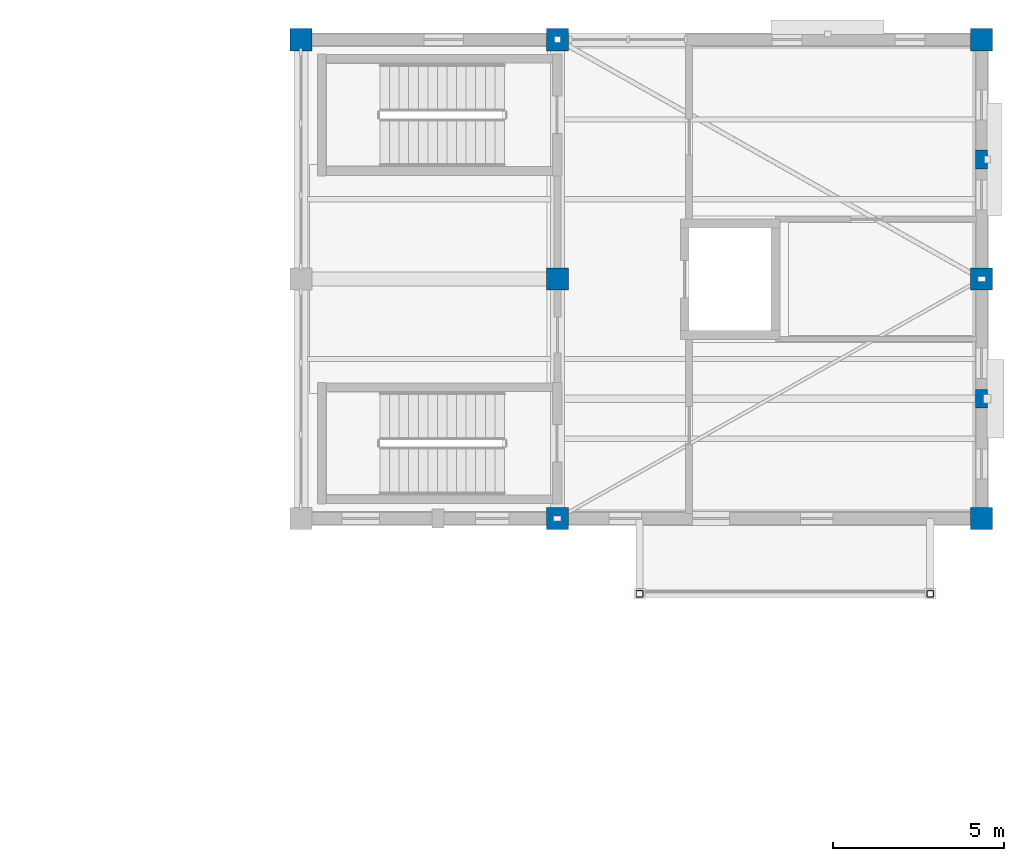
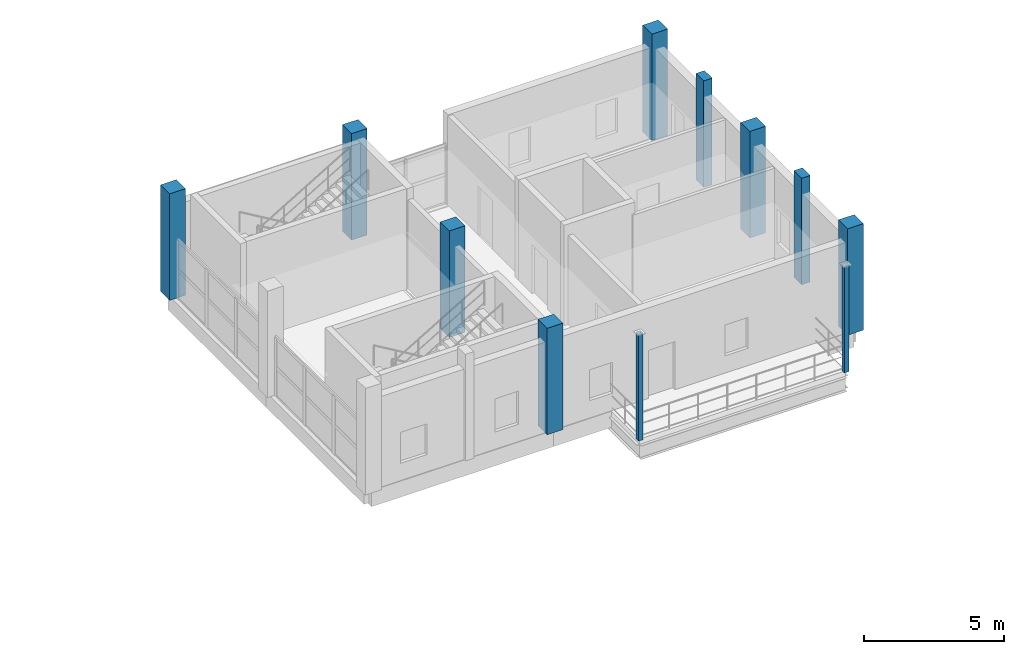
# One storey, part 2 of 40: 11 columns.
"""IFC4 building model written with IfcOpenShell, lengths in metres."""

from ifc_helpers import new_model, si_unit, direction, frame, origin, origin_2d, place, context, subcontext, project, spatial, rectangle, hollow_rectangle, extrude, material, material_profile, profile_set, type_object, element, save


model = new_model("IFC4")

# Units and contexts
model_context = context("Model", 3, precision=1e-05, world=origin(), true_north=direction((0.0, 1.0)))
body_context = subcontext(model_context, "Body", "Model", "MODEL_VIEW")
ifc_project = project(units=[si_unit("LENGTHUNIT", "METRE"), si_unit("AREAUNIT", "SQUARE_METRE"), si_unit("VOLUMEUNIT", "CUBIC_METRE"), si_unit("PLANEANGLEUNIT", "RADIAN"), si_unit("MASSUNIT", "GRAM", prefix="KILO")], contexts=[model_context])

# Site, building, storey
site_placement = place(None, origin())
site = spatial("IfcSite", under=ifc_project, at=site_placement, CompositionType="ELEMENT")
building_placement = place(site_placement, origin())
building = spatial("IfcBuilding", under=site, at=building_placement, Name="Trellovar Central Fire Station", CompositionType="ELEMENT")
storey_placement = place(building_placement, frame((0.0, 0.0, 12.75)))
storey = spatial("IfcBuildingStorey", under=building, at=storey_placement, Name="L04", CompositionType="ELEMENT", Elevation=12.75)

# Columns
ifc_material_1 = material(Name="Concrete C40/50", Category="concrete")
ifc_material_profile_1 = material_profile(ifc_material_1, rectangle(XDim=0.64990234375, YDim=0.64990234375, at=origin_2d()), Name="RC650X650")
ifc_profile_set_1 = profile_set([ifc_material_profile_1], Name="Concrete C40/50")
column_type_1 = type_object("IfcColumnType", Name="COL-C5", PredefinedType="COLUMN", material=ifc_profile_set_1)
for number, where, z_axis, x_axis, name in (
    (1, (141.10009765625, 73.0, 0.0), (0.0, 0.0, 1.0), (1.0, 0.0, 0.0), "L04 column C-5"),
    (2, (148.60009765625, 59.0, 0.0), (0.0, 0.0, 1.0), (1.0, 0.0, 0.0), "L04 column C-5"),
    (3, (148.60009765625, 66.0, 0.0), (0.0, 0.0, 1.0), (1.0, 0.0, 0.0), "L04 column C-5"),
    (4, (148.60009765625, 73.0, 0.0), (0.0, 0.0, 1.0), (1.0, 0.0, 0.0), "L04 column C-5"),
    (5, (161.0, 59.0, 0.0), (0.0, 0.0, 1.0), (1.0, 0.0, 0.0), "L04 column C-5"),
    (6, (161.0, 66.0, 0.0), (0.0, 0.0, 1.0), (1.0, 0.0, 0.0), "L04 column C-5"),
    (7, (161.0, 73.0, 0.0), (0.0, 0.0, 1.0), (1.0, 0.0, 0.0), "L04 column C-5"),
):
    element("IfcColumn", number, at=place(storey_placement, frame(where, z_axis=z_axis, x_axis=x_axis)), inside=storey, type_object=column_type_1, Name=name, PredefinedType="COLUMN", context=body_context, shape_type="SweptSolid", body=[
        extrude(rectangle(XDim=0.64990234375, YDim=0.64990234375, at=origin_2d()), origin(), (0.0, 0.0, 1.0), 4.64990234375),
    ])
ifc_material_2 = material(Name="Concrete C40/50", Category="concrete")
ifc_material_profile_2 = material_profile(ifc_material_2, rectangle(XDim=0.35009765625, YDim=0.550048828125, at=origin_2d()), Name="RC350X550")
ifc_profile_set_2 = profile_set([ifc_material_profile_2], Name="Concrete C40/50")
column_type_2 = type_object("IfcColumnType", Name="COL-PIL2", PredefinedType="PILASTER", material=ifc_profile_set_2)
for number, where, z_axis, x_axis, name in (
    (8, (161.0, 62.5, 0.0), (0.0, 0.0, 1.0), (1.0, 0.0, 0.0), "V2 drill tower vertical buttress fin L04-2"),
    (9, (161.0, 69.5, 0.0), (0.0, 0.0, 1.0), (1.0, 0.0, 0.0), "V2 drill tower vertical buttress fin L04-3"),
):
    element("IfcColumn", number, at=place(storey_placement, frame(where, z_axis=z_axis, x_axis=x_axis)), inside=storey, type_object=column_type_2, Name=name, PredefinedType="PILASTER", context=body_context, shape_type="SweptSolid", body=[
        extrude(rectangle(XDim=0.35009765625, YDim=0.550048828125, at=origin_2d()), origin(), (0.0, 0.0, 1.0), 4.64990234375),
    ])
ifc_material_3 = material(Name="Steel ASTM A500 Grade C", Category="steel")
ifc_material_profile_3 = material_profile(ifc_material_3, hollow_rectangle(XDim=0.203125, YDim=0.203125, WallThickness=0.01171875, InnerFilletRadius=0.01171875, OuterFilletRadius=0.023681640625, at=origin_2d()), Name="HSS8X8X1/2")
ifc_profile_set_3 = profile_set([ifc_material_profile_3], Name="Steel ASTM A500 Grade C")
column_type_3 = type_object("IfcColumnType", Name="COL-SC5", PredefinedType="COLUMN", material=ifc_profile_set_3)
for number, where, z_axis, x_axis, name in (
    (10, (151.0, 56.800048828125, 0.0), (0.0, 0.0, 1.0), (1.0, 0.0, 0.0), "V2 L04 training balcony support post"),
    (11, (159.5, 56.800048828125, 0.0), (0.0, 0.0, 1.0), (1.0, 0.0, 0.0), "V2 L04 training balcony support post"),
):
    element("IfcColumn", number, at=place(storey_placement, frame(where, z_axis=z_axis, x_axis=x_axis)), inside=storey, type_object=column_type_3, Name=name, PredefinedType="COLUMN", context=body_context, shape_type="SweptSolid", body=[
        extrude(hollow_rectangle(XDim=0.203125, YDim=0.203125, WallThickness=0.01171875, InnerFilletRadius=0.01171875, OuterFilletRadius=0.023681640625, at=origin_2d()), origin(), (0.0, 0.0, 1.0), 4.64990234375),
    ])

save(model, "model.ifc")
